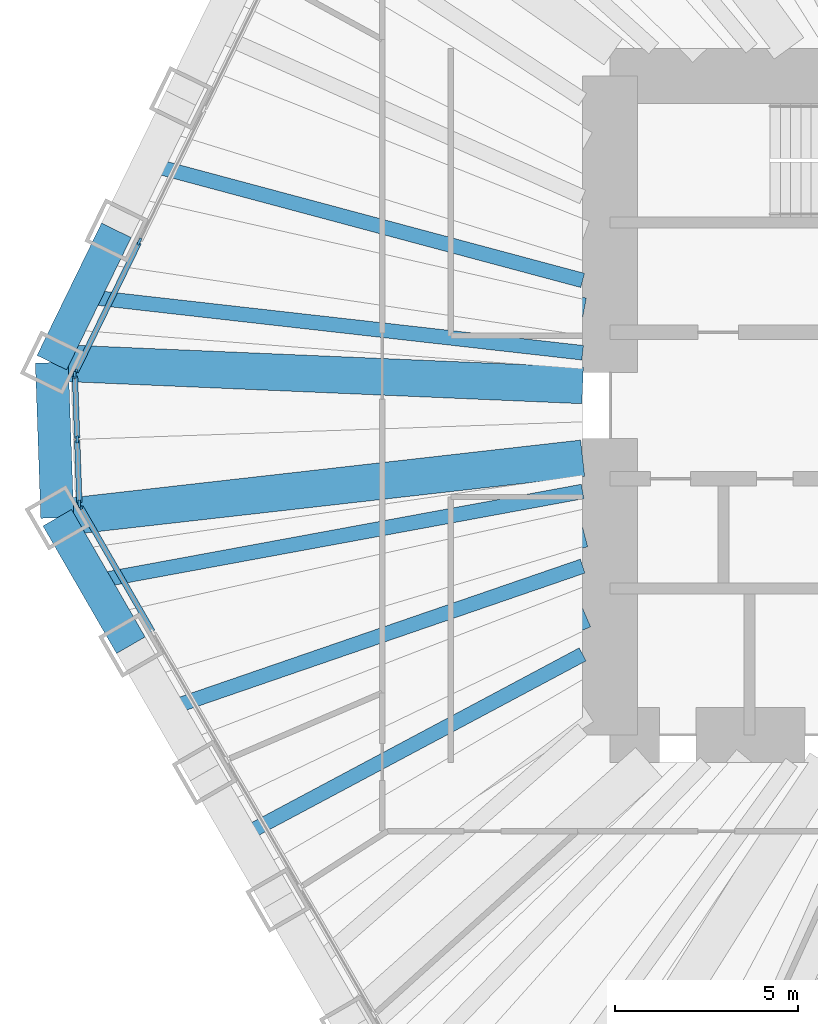
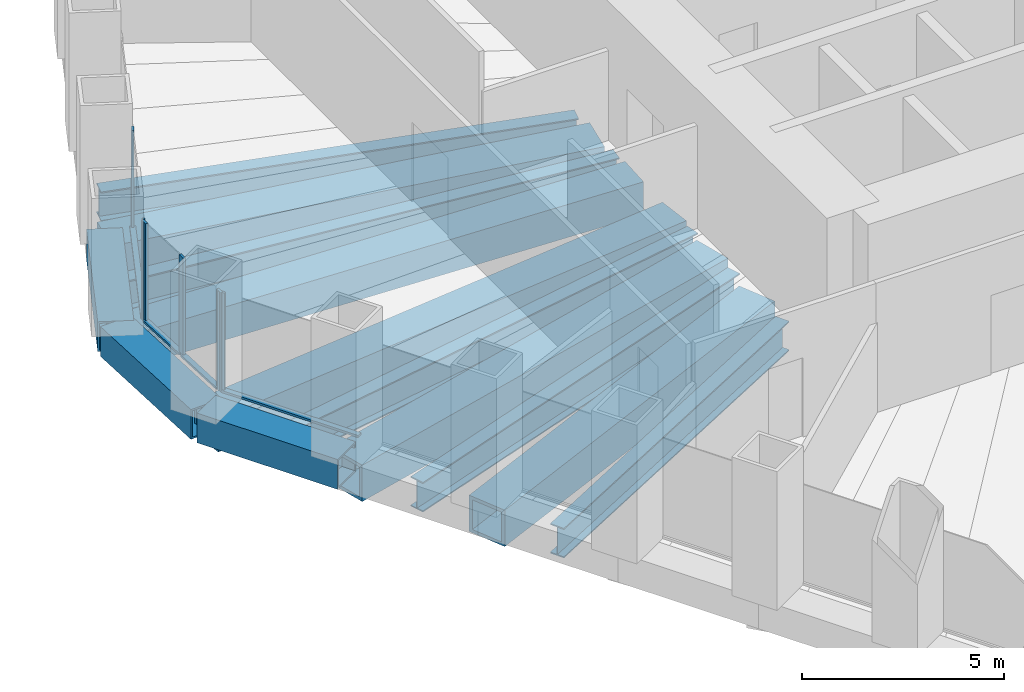
# One storey, part 3 of 12: 13 beams, 10 members, 3 elements without a shape of their own.
"""IFC4 building model written with IfcOpenShell, lengths in metres."""

from ifc_helpers import new_model, si_unit, direction, frame, origin, origin_2d, place, context, subcontext, project, spatial, rectangle, hollow_rectangle, i_section, extrude, material, material_profile, profile_set, type_object, element, aggregate, save


model = new_model("IFC4")

# Units and contexts
model_context = context("Model", 3, precision=1e-05, world=origin(), true_north=direction((0.0, 1.0)))
body_context = subcontext(model_context, "Body", "Model", "MODEL_VIEW")
ifc_project = project(units=[si_unit("LENGTHUNIT", "METRE"), si_unit("AREAUNIT", "SQUARE_METRE"), si_unit("VOLUMEUNIT", "CUBIC_METRE"), si_unit("PLANEANGLEUNIT", "RADIAN"), si_unit("MASSUNIT", "GRAM", prefix="KILO")], contexts=[model_context])

# Site, building, storey
site_placement = place(None, origin())
site = spatial("IfcSite", under=ifc_project, at=site_placement, CompositionType="ELEMENT")
building_placement = place(site_placement, origin())
building = spatial("IfcBuilding", under=site, at=building_placement, Name="Qingtian Harvest Tower", CompositionType="ELEMENT")
storey_placement = place(building_placement, frame((0.0, 0.0, 170.199951171875)))
storey = spatial("IfcBuildingStorey", under=building, at=storey_placement, Name="L36", CompositionType="ELEMENT", Elevation=170.199951171875)

# Beams
ifc_material_1 = material(Name="Steel SN490B", Category="steel")
ifc_material_profile_1 = material_profile(ifc_material_1, i_section(OverallWidth=0.39990234375, OverallDepth=0.89990234375, WebThickness=0.01904296875, FlangeThickness=0.035888671875, at=origin_2d()), Name="H900x400x19x36")
ifc_profile_set_1 = profile_set([ifc_material_profile_1], Name="Steel SN490B")
beam_type_1 = type_object("IfcBeamType", Name="Floor joist J4 H900x400x19x36", PredefinedType="JOIST", material=ifc_profile_set_1)
beam_1_placement = place(storey_placement, frame((-22.0732421875, -11.76806640625, -0.619873046875), z_axis=(0.882429048443, 0.47044550637, 0.0), x_axis=(-0.47044550637, 0.882429048443, 0.0)))
element("IfcBeam", 1, at=beam_1_placement, inside=storey, type_object=beam_type_1, Name="Floor joist J4 SW3", PredefinedType="JOIST", context=body_context, shape_type="SweptSolid", body=[
    extrude(i_section(OverallWidth=0.39990234375, OverallDepth=0.89990234375, WebThickness=0.01904296875, FlangeThickness=0.035888671875, at=origin_2d()), origin(), (0.0, 0.0, 1.0), 10.5654296875),
])
beam_2_placement = place(storey_placement, frame((-24.082763671875, -8.28759765625, -0.619873046875), z_axis=(0.945577150072, 0.325397992099, 0.0), x_axis=(-0.325397992099, 0.945577150072, 0.0)))
element("IfcBeam", 2, at=beam_2_placement, inside=storey, type_object=beam_type_1, Name="Floor joist J4 SW4", PredefinedType="JOIST", context=body_context, shape_type="SweptSolid", body=[
    extrude(i_section(OverallWidth=0.39990234375, OverallDepth=0.89990234375, WebThickness=0.01904296875, FlangeThickness=0.035888671875, at=origin_2d()), origin(), (0.0, 0.0, 1.0), 11.985107421875),
])
beam_3_placement = place(storey_placement, frame((-26.09228515625, -4.806884765625, -0.619873046875), z_axis=(0.983450319804, 0.181178002192, 0.0), x_axis=(-0.181178002192, 0.983450319804, 0.0)))
element("IfcBeam", 3, at=beam_3_placement, inside=storey, type_object=beam_type_1, Name="Floor joist J4 SW5", PredefinedType="JOIST", context=body_context, shape_type="SweptSolid", body=[
    extrude(i_section(OverallWidth=0.39990234375, OverallDepth=0.89990234375, WebThickness=0.01904296875, FlangeThickness=0.035888671875, at=origin_2d()), origin(), (0.0, 0.0, 1.0), 13.56689453125),
])
beam_4_placement = place(storey_placement, frame((-26.364013671875, 2.97509765625, -0.619873046875), z_axis=(0.993692330348, -0.112140771387, 0.0), x_axis=(0.112140771387, 0.993692330348, 0.0)))
element("IfcBeam", 4, at=beam_4_placement, inside=storey, type_object=beam_type_1, Name="Floor joist J4 NW0", PredefinedType="JOIST", context=body_context, shape_type="SweptSolid", body=[
    extrude(i_section(OverallWidth=0.39990234375, OverallDepth=0.89990234375, WebThickness=0.01904296875, FlangeThickness=0.035888671875, at=origin_2d()), origin(), (0.0, 0.0, 1.0), 13.700439453125),
])
beam_5_placement = place(storey_placement, frame((-24.60205078125, 6.58740234375, -0.619873046875), z_axis=(0.965969893862, -0.258654526641, 0.0), x_axis=(0.258654526641, 0.965969893862, 0.0)))
element("IfcBeam", 5, at=beam_5_placement, inside=storey, type_object=beam_type_1, Name="Floor joist J4 NW1", PredefinedType="JOIST", context=body_context, shape_type="SweptSolid", body=[
    extrude(i_section(OverallWidth=0.39990234375, OverallDepth=0.89990234375, WebThickness=0.01904296875, FlangeThickness=0.035888671875, at=origin_2d()), origin(), (0.0, 0.0, 1.0), 12.26953125),
])

# Curtain wall, member
ifc_material_2 = material(Name="Bronze-anodised aluminium curtain wall", Category="aluminium")
curtain_wall_type = type_object("IfcCurtainWallType", Name="Curtain wall CW4 office", PredefinedType="USERDEFINED", material=ifc_material_2)
curtain_wall_1_placement = place(storey_placement, origin())
curtain_wall_1 = element("IfcCurtainWall", 6, at=curtain_wall_1_placement, inside=storey, type_object=curtain_wall_type, Name="Curtain wall CW4 L36 SW0-5", ObjectType="RECESSED CURTAIN WALL", PredefinedType="USERDEFINED")
ifc_material_3 = material(Name="Bronze-anodised aluminium mullion", Category="aluminium")
ifc_material_profile_2 = material_profile(ifc_material_3, rectangle(XDim=0.06494140625, YDim=0.199951171875, at=origin_2d()), Name="AL 65x200")
ifc_profile_set_2 = profile_set([ifc_material_profile_2], Name="Bronze-anodised aluminium mullion")
member_type_1 = type_object("IfcMemberType", Name="Mullion CWM 65x200", PredefinedType="MULLION", material=ifc_profile_set_2)
member_1_placement = place(storey_placement, frame((-26.474609375, -2.744873046875, 0.0), z_axis=(0.0, 0.0, 1.0), x_axis=(-0.866025403784, -0.5, 0.0)))
member_1 = element("IfcMember", 7, at=member_1_placement, type_object=member_type_1, Name="CW4 mullion 7", PredefinedType="MULLION", context=body_context, shape_type="SweptSolid", body=[
    extrude(rectangle(XDim=0.06494140625, YDim=0.199951171875, at=origin_2d()), origin(), (0.0, 0.0, 1.0), 3.0),
])

# Curtain wall, members
curtain_wall_2_placement = place(storey_placement, origin())
curtain_wall_2 = element("IfcCurtainWall", 8, at=curtain_wall_2_placement, inside=storey, type_object=curtain_wall_type, Name="Curtain wall CW4 L36 SWC", ObjectType="RECESSED CURTAIN WALL", PredefinedType="USERDEFINED")
member_2_placement = place(storey_placement, frame((-26.491943359375, -2.68408203125, 0.0), z_axis=(0.0, 0.0, 1.0), x_axis=(-0.999390827019, -0.034899496703, 0.0)))
member_2 = element("IfcMember", 9, at=member_2_placement, type_object=member_type_1, Name="CW4 mullion 1", PredefinedType="MULLION", context=body_context, shape_type="SweptSolid", body=[
    extrude(rectangle(XDim=0.06494140625, YDim=0.199951171875, at=origin_2d()), origin(), (0.0, 0.0, 1.0), 3.0),
])
member_3_placement = place(storey_placement, frame((-26.55322265625, -0.92724609375, 0.0), z_axis=(0.0, 0.0, 1.0), x_axis=(-0.999390827019, -0.034899496703, 0.0)))
member_3 = element("IfcMember", 10, at=member_3_placement, type_object=member_type_1, Name="CW4 mullion 2", PredefinedType="MULLION", context=body_context, shape_type="SweptSolid", body=[
    extrude(rectangle(XDim=0.06494140625, YDim=0.199951171875, at=origin_2d()), origin(), (0.0, 0.0, 1.0), 3.0),
])
member_4_placement = place(storey_placement, frame((-26.614501953125, 0.82958984375, 0.0), z_axis=(0.0, 0.0, 1.0), x_axis=(-0.999390827019, -0.034899496703, 0.0)))
member_4 = element("IfcMember", 11, at=member_4_placement, type_object=member_type_1, Name="CW4 mullion 3", PredefinedType="MULLION", context=body_context, shape_type="SweptSolid", body=[
    extrude(rectangle(XDim=0.06494140625, YDim=0.199951171875, at=origin_2d()), origin(), (0.0, 0.0, 1.0), 3.0),
])

curtain_wall_3_placement = place(storey_placement, origin())
curtain_wall_3 = element("IfcCurtainWall", 12, at=curtain_wall_3_placement, inside=storey, type_object=curtain_wall_type, Name="Curtain wall CW4 L36 NW0-5", ObjectType="RECESSED CURTAIN WALL", PredefinedType="USERDEFINED")
member_5_placement = place(storey_placement, frame((-26.6015625, 0.891357421875, 0.0), z_axis=(0.0, 0.0, 1.0), x_axis=(-0.898794046299, 0.438371146789, 0.0)))
member_5 = element("IfcMember", 13, at=member_5_placement, type_object=member_type_1, Name="CW4 mullion 1", PredefinedType="MULLION", context=body_context, shape_type="SweptSolid", body=[
    extrude(rectangle(XDim=0.06494140625, YDim=0.199951171875, at=origin_2d()), origin(), (0.0, 0.0, 1.0), 3.0),
])
member_6_placement = place(storey_placement, frame((-24.85400390625, 4.474365234375, 0.0), z_axis=(0.0, 0.0, 1.0), x_axis=(-0.898794046299, 0.438371146789, 0.0)))
member_6 = element("IfcMember", 14, at=member_6_placement, type_object=member_type_1, Name="CW4 mullion 2", PredefinedType="MULLION", context=body_context, shape_type="SweptSolid", body=[
    extrude(rectangle(XDim=0.06494140625, YDim=0.199951171875, at=origin_2d()), origin(), (0.0, 0.0, 1.0), 3.0),
])

# Beams
ifc_material_4 = material(Name="Steel SM570MC", Category="steel")
ifc_material_profile_3 = material_profile(ifc_material_4, hollow_rectangle(XDim=1.0, YDim=1.0, WallThickness=0.080078125, at=origin_2d()), Name="BOX1000x1000x80")
ifc_profile_set_3 = profile_set([ifc_material_profile_3], Name="Steel SM570MC")
beam_type_2 = type_object("IfcBeamType", Name="Transfer corner beam FB11 BOX1000x1000x80", PredefinedType="BEAM", material=ifc_profile_set_3)
beam_6_placement = place(storey_placement, frame((-27.096923828125, -3.066650390625, -0.669921875), z_axis=(0.993656070393, 0.112461610213, 0.0), x_axis=(-0.112461610213, 0.993656070393, 0.0)))
element("IfcBeam", 15, at=beam_6_placement, inside=storey, type_object=beam_type_2, Name="Floor beam FB11 SW6", PredefinedType="BEAM", context=body_context, shape_type="SweptSolid", body=[
    extrude(hollow_rectangle(XDim=1.0, YDim=1.0, WallThickness=0.080078125, at=origin_2d()), origin(), (0.0, 0.0, 1.0), 14.4384765625),
])
beam_7_placement = place(storey_placement, frame((-27.244873046875, 1.1689453125, -0.669921875), z_axis=(0.999081074678, -0.042860310542, 0.0), x_axis=(0.042860310542, 0.999081074678, 0.0)))
element("IfcBeam", 16, at=beam_7_placement, inside=storey, type_object=beam_type_2, Name="Floor beam FB11 NW0", PredefinedType="BEAM", context=body_context, shape_type="SweptSolid", body=[
    extrude(hollow_rectangle(XDim=1.0, YDim=1.0, WallThickness=0.080078125, at=origin_2d()), origin(), (0.0, 0.0, 1.0), 14.50830078125),
])
ifc_material_5 = material(Name="Steel SM570MC", Category="steel")
ifc_material_profile_4 = material_profile(ifc_material_5, hollow_rectangle(XDim=1.10009765625, YDim=1.10009765625, WallThickness=0.10009765625, at=origin_2d()), Name="BOX1100x1100x100")
ifc_profile_set_4 = profile_set([ifc_material_profile_4], Name="Steel SM570MC")
beam_type_3 = type_object("IfcBeamType", Name="Transfer floor beam FB9 BOX1100x1100x100", PredefinedType="BEAM", material=ifc_profile_set_4)
beam_8_placement = place(storey_placement, frame((-23.077880859375, -10.02783203125, -0.719970703125), z_axis=(0.917154138631, 0.398532666154, 0.0), x_axis=(-0.398532666154, 0.917154138631, 0.0)))
element("IfcBeam", 17, at=beam_8_placement, inside=storey, type_object=beam_type_3, Name="Floor beam FB9 SW4", PredefinedType="BEAM", context=body_context, shape_type="SweptSolid", body=[
    extrude(hollow_rectangle(XDim=1.10009765625, YDim=1.10009765625, WallThickness=0.10009765625, at=origin_2d()), origin(), (0.0, 0.0, 1.0), 11.2607421875),
])
beam_9_placement = place(storey_placement, frame((-25.08740234375, -6.547119140625, -0.719970703125), z_axis=(0.967592867696, 0.252515429991, 0.0), x_axis=(-0.252515429991, 0.967592867696, 0.0)))
element("IfcBeam", 18, at=beam_9_placement, inside=storey, type_object=beam_type_3, Name="Floor beam FB9 SW5", PredefinedType="BEAM", context=body_context, shape_type="SweptSolid", body=[
    extrude(hollow_rectangle(XDim=1.10009765625, YDim=1.10009765625, WallThickness=0.10009765625, at=origin_2d()), origin(), (0.0, 0.0, 1.0), 12.750732421875),
])
beam_10_placement = place(storey_placement, frame((-25.483154296875, 4.78125, -0.719970703125), z_axis=(0.982851913913, -0.184396625015, 0.0), x_axis=(0.184396625015, 0.982851913913, 0.0)))
element("IfcBeam", 19, at=beam_10_placement, inside=storey, type_object=beam_type_3, Name="Floor beam FB9 NW1", PredefinedType="BEAM", context=body_context, shape_type="SweptSolid", body=[
    extrude(hollow_rectangle(XDim=1.10009765625, YDim=1.10009765625, WallThickness=0.10009765625, at=origin_2d()), origin(), (0.0, 0.0, 1.0), 12.955322265625),
])
ifc_material_6 = material(Name="Steel SM570MC", Category="steel")
ifc_material_profile_5 = material_profile(ifc_material_6, hollow_rectangle(XDim=0.89990234375, YDim=0.89990234375, WallThickness=0.050048828125, at=origin_2d()), Name="BOX900x900x50")
ifc_profile_set_5 = profile_set([ifc_material_profile_5], Name="Steel SM570MC")
beam_type_4 = type_object("IfcBeamType", Name="Transition spandrel SB6 BOX900x900x50", PredefinedType="SPANDREL", material=ifc_profile_set_5)
beam_11_placement = place(storey_placement, frame((-25.08740234375, -6.547119140625, -0.449951171875), z_axis=(-0.500013420409, 0.866017655369, 0.0), x_axis=(-0.866017655369, -0.500013420409, 0.0)))
element("IfcBeam", 20, at=beam_11_placement, inside=storey, type_object=beam_type_4, Name="Spandrel SB6 SW5", PredefinedType="SPANDREL", context=body_context, shape_type="SweptSolid", body=[
    extrude(hollow_rectangle(XDim=0.89990234375, YDim=0.89990234375, WallThickness=0.050048828125, at=origin_2d()), origin(), (0.0, 0.0, 1.0), 4.01904296875),
])
beam_12_placement = place(storey_placement, frame((-27.096923828125, -3.066650390625, -0.449951171875), z_axis=(-0.034908677553, 0.999390506375, 0.0), x_axis=(-0.999390506375, -0.034908677553, 0.0)))
element("IfcBeam", 21, at=beam_12_placement, inside=storey, type_object=beam_type_4, Name="Spandrel SB6 SWC", PredefinedType="SPANDREL", context=body_context, shape_type="SweptSolid", body=[
    extrude(hollow_rectangle(XDim=0.89990234375, YDim=0.89990234375, WallThickness=0.050048828125, at=origin_2d()), origin(), (0.0, 0.0, 1.0), 4.23828125),
])
beam_13_placement = place(storey_placement, frame((-27.244873046875, 1.1689453125, -0.449951171875), z_axis=(0.438347033158, 0.898805806902, 0.0), x_axis=(-0.898805806902, 0.438347033158, 0.0)))
element("IfcBeam", 22, at=beam_13_placement, inside=storey, type_object=beam_type_4, Name="Spandrel SB6 NW0", PredefinedType="SPANDREL", context=body_context, shape_type="SweptSolid", body=[
    extrude(hollow_rectangle(XDim=0.89990234375, YDim=0.89990234375, WallThickness=0.050048828125, at=origin_2d()), origin(), (0.0, 0.0, 1.0), 4.01904296875),
])

# Member
ifc_material_7 = material(Name="Bronze-anodised aluminium transom", Category="aluminium")
ifc_material_profile_6 = material_profile(ifc_material_7, rectangle(XDim=0.14990234375, YDim=0.06494140625, at=origin_2d()), Name="AL 65x150")
ifc_profile_set_6 = profile_set([ifc_material_profile_6], Name="Bronze-anodised aluminium transom")
member_type_2 = type_object("IfcMemberType", Name="Transom CWT 65x150", PredefinedType="USERDEFINED", material=ifc_profile_set_6)
member_7_placement = place(storey_placement, frame((-24.49755859375, -6.169189453125, 0.032470703125), z_axis=(-0.499975738995, 0.866039410429, 0.0), x_axis=(-0.866039410429, -0.499975738995, 0.0)))
member_7 = element("IfcMember", 23, at=member_7_placement, type_object=member_type_2, Name="CW4 transom 6.1", ObjectType="TRANSOM", PredefinedType="USERDEFINED", context=body_context, shape_type="SweptSolid", body=[
    extrude(rectangle(XDim=0.14990234375, YDim=0.06494140625, at=origin_2d()), origin(), (0.0, 0.0, 1.0), 3.921630859375),
])

aggregate(curtain_wall_1, [member_1, member_7])

member_8_placement = place(storey_placement, frame((-26.4931640625, -2.651611328125, 0.032470703125), z_axis=(-0.034899362377, 0.99939083171, 0.0), x_axis=(-0.99939083171, -0.034899362377, 0.0)))
member_8 = element("IfcMember", 24, at=member_8_placement, type_object=member_type_2, Name="CW4 transom 1.1", ObjectType="TRANSOM", PredefinedType="USERDEFINED", context=body_context, shape_type="SweptSolid", body=[
    extrude(rectangle(XDim=0.14990234375, YDim=0.06494140625, at=origin_2d()), origin(), (0.0, 0.0, 1.0), 1.69287109375),
])

member_9_placement = place(storey_placement, frame((-26.554443359375, -0.894775390625, 0.032470703125), z_axis=(-0.034899362377, 0.99939083171, 0.0), x_axis=(-0.99939083171, -0.034899362377, 0.0)))
member_9 = element("IfcMember", 25, at=member_9_placement, type_object=member_type_2, Name="CW4 transom 2.1", ObjectType="TRANSOM", PredefinedType="USERDEFINED", context=body_context, shape_type="SweptSolid", body=[
    extrude(rectangle(XDim=0.14990234375, YDim=0.06494140625, at=origin_2d()), origin(), (0.0, 0.0, 1.0), 1.69287109375),
])

aggregate(curtain_wall_2, [member_2, member_3, member_4, member_8, member_9])

member_10_placement = place(storey_placement, frame((-26.587158203125, 0.92041015625, 0.032470703125), z_axis=(0.438326734225, 0.898815706396, 0.0), x_axis=(-0.898815706396, 0.438326734225, 0.0)))
member_10 = element("IfcMember", 26, at=member_10_placement, type_object=member_type_2, Name="CW4 transom 1.1", ObjectType="TRANSOM", PredefinedType="USERDEFINED", context=body_context, shape_type="SweptSolid", body=[
    extrude(rectangle(XDim=0.14990234375, YDim=0.06494140625, at=origin_2d()), origin(), (0.0, 0.0, 1.0), 3.921630859375),
])

aggregate(curtain_wall_3, [member_5, member_6, member_10])

save(model, "model.ifc")
